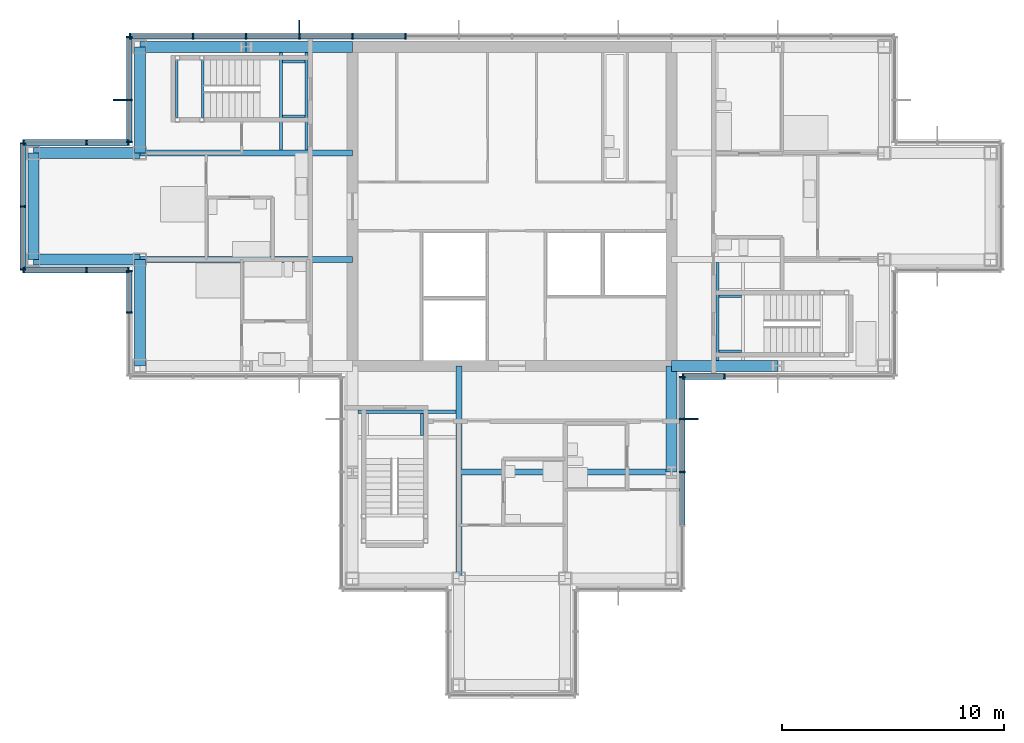
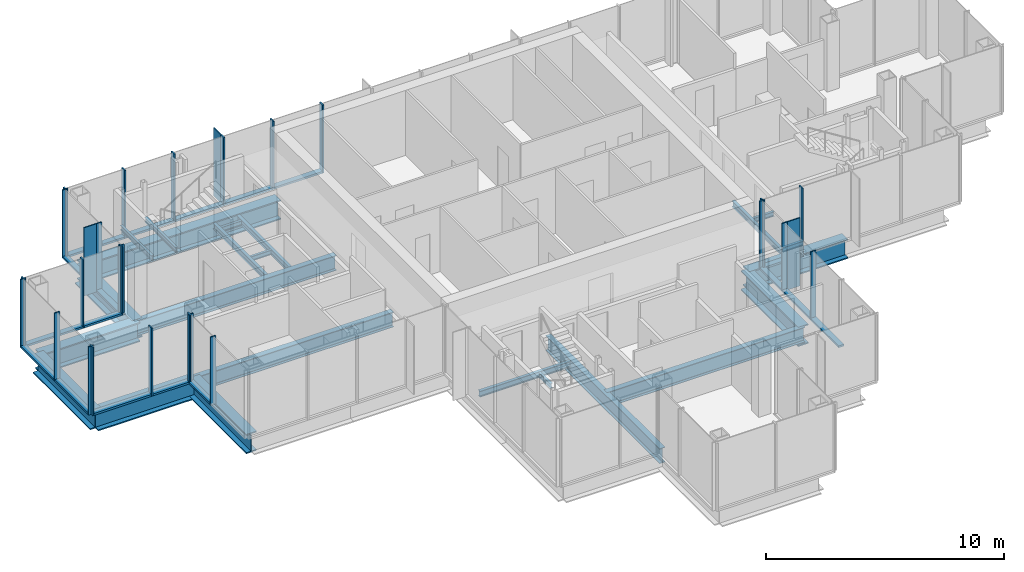
# One storey, part 6 of 15: 46 members, 24 beams, 8 elements without a shape of their own.
"""IFC4 building model written with IfcOpenShell, lengths in metres."""

from ifc_helpers import new_model, si_unit, direction, frame, origin, origin_2d, place, context, subcontext, project, spatial, rectangle, i_section, extrude, material, material_profile, profile_set, type_object, element, aggregate, save


model = new_model("IFC4")

# Units and contexts
model_context = context("Model", 3, precision=1e-05, world=origin(), true_north=direction((0.0, 1.0)))
body_context = subcontext(model_context, "Body", "Model", "MODEL_VIEW")
ifc_project = project(units=[si_unit("LENGTHUNIT", "METRE"), si_unit("AREAUNIT", "SQUARE_METRE"), si_unit("VOLUMEUNIT", "CUBIC_METRE"), si_unit("PLANEANGLEUNIT", "RADIAN"), si_unit("MASSUNIT", "GRAM", prefix="KILO")], contexts=[model_context])

# Site, building, storey
site_placement = place(None, origin())
site = spatial("IfcSite", under=ifc_project, at=site_placement, CompositionType="ELEMENT")
building_placement = place(site_placement, origin())
building = spatial("IfcBuilding", under=site, at=building_placement, Name="Kvirike Care Tower", CompositionType="ELEMENT")
storey_placement = place(building_placement, frame((0.0, 0.0, 212.0)))
storey = spatial("IfcBuildingStorey", under=building, at=storey_placement, Name="L58", CompositionType="ELEMENT", Elevation=212.0)

# Curtain wall, member
ifc_material_1 = material(Name="Anodised aluminium stick system", Category="aluminium")
curtain_wall_type = type_object("IfcCurtainWallType", Name="CW-D STICK CURTAIN WALL", PredefinedType="NOTDEFINED", material=ifc_material_1)
curtain_wall_1_placement = place(storey_placement, origin())
curtain_wall_1 = element("IfcCurtainWall", 1, at=curtain_wall_1_placement, inside=storey, type_object=curtain_wall_type, Name="Curtain wall L58 face 7", PredefinedType="NOTDEFINED")
ifc_material_2 = material(Name="Bronze anodised aluminium fin", Category="aluminium")
ifc_material_profile_1 = material_profile(ifc_material_2, rectangle(XDim=0.050048828125, YDim=0.60009765625, at=origin_2d()), Name="BRONZE FIN 600")
ifc_profile_set_1 = profile_set([ifc_material_profile_1], Name="Bronze anodised aluminium fin")
member_type_1 = type_object("IfcMemberType", Name="BRONZE FIN 600", PredefinedType="USERDEFINED", material=ifc_profile_set_1)
member_1_placement = place(storey_placement, frame((12.0, 44.110107421875, 0.0), z_axis=(0.0, 0.0, 1.0), x_axis=(-1.0, 0.0, 0.0)))
member_1 = element("IfcMember", 2, at=member_1_placement, type_object=member_type_1, Name="Bronze fin L58 face 7.12", ObjectType="FIN", PredefinedType="USERDEFINED", context=body_context, shape_type="SweptSolid", body=[
    extrude(rectangle(XDim=0.050048828125, YDim=0.60009765625, at=origin_2d()), origin(), (0.0, 0.0, 1.0), 3.5),
])

curtain_wall_2_placement = place(storey_placement, origin())
curtain_wall_2 = element("IfcCurtainWall", 3, at=curtain_wall_2_placement, inside=storey, type_object=curtain_wall_type, Name="Curtain wall L58 face 8", PredefinedType="NOTDEFINED")
member_2_placement = place(storey_placement, frame((3.889892578125, 40.800048828125, 0.0), z_axis=(0.0, 0.0, 1.0), x_axis=(0.0, -1.0, 0.0)))
member_2 = element("IfcMember", 4, at=member_2_placement, type_object=member_type_1, Name="Bronze fin L58 face 8.2", ObjectType="FIN", PredefinedType="USERDEFINED", context=body_context, shape_type="SweptSolid", body=[
    extrude(rectangle(XDim=0.050048828125, YDim=0.60009765625, at=origin_2d()), origin(), (0.0, 0.0, 1.0), 3.5),
])

curtain_wall_3_placement = place(storey_placement, origin())
curtain_wall_3 = element("IfcCurtainWall", 5, at=curtain_wall_3_placement, inside=storey, type_object=curtain_wall_type, Name="Curtain wall L58 face 20", PredefinedType="NOTDEFINED")
member_3_placement = place(storey_placement, frame((29.7099609375, 26.39990234375, 0.0), z_axis=(0.0, 0.0, 1.0), x_axis=(0.0, 1.0, 0.0)))
member_3 = element("IfcMember", 6, at=member_3_placement, type_object=member_type_1, Name="Bronze fin L58 face 20.4", ObjectType="FIN", PredefinedType="USERDEFINED", context=body_context, shape_type="SweptSolid", body=[
    extrude(rectangle(XDim=0.050048828125, YDim=0.60009765625, at=origin_2d()), origin(), (0.0, 0.0, 1.0), 3.5),
])

# Curtain wall, members
curtain_wall_4_placement = place(storey_placement, origin())
curtain_wall_4 = element("IfcCurtainWall", 7, at=curtain_wall_4_placement, inside=storey, type_object=curtain_wall_type, Name="Curtain wall L58 face 1", PredefinedType="NOTDEFINED")
ifc_material_3 = material(Name="Bronze anodised aluminium mullion", Category="aluminium")
ifc_material_profile_2 = material_profile(ifc_material_3, rectangle(XDim=0.06494140625, YDim=0.260009765625, at=origin_2d()), Name="CW-D MULLION 65x260")
ifc_profile_set_2 = profile_set([ifc_material_profile_2], Name="Bronze anodised aluminium mullion")
member_type_2 = type_object("IfcMemberType", Name="CW-D MULLION 65x260", PredefinedType="MULLION", material=ifc_profile_set_2)
member_4_placement = place(storey_placement, frame((29.3125, 28.320068359375, 0.0), z_axis=(0.0, 0.0, 1.0), x_axis=(1.0, 0.0, 0.0)))
member_4 = element("IfcMember", 8, at=member_4_placement, type_object=member_type_2, Name="CW-D mullion L58 face 1.1", PredefinedType="MULLION", context=body_context, shape_type="SweptSolid", body=[
    extrude(rectangle(XDim=0.06494140625, YDim=0.260009765625, at=origin_2d()), origin(), (0.0, 0.0, 1.0), 3.5),
])
member_5_placement = place(storey_placement, frame((31.199951171875, 28.320068359375, 0.0), z_axis=(0.0, 0.0, 1.0), x_axis=(1.0, 0.0, 0.0)))
member_5 = element("IfcMember", 9, at=member_5_placement, type_object=member_type_2, Name="CW-D mullion L58 face 1.2", PredefinedType="MULLION", context=body_context, shape_type="SweptSolid", body=[
    extrude(rectangle(XDim=0.06494140625, YDim=0.260009765625, at=origin_2d()), origin(), (0.0, 0.0, 1.0), 3.5),
])

# Member
member_6_placement = place(storey_placement, frame((16.800048828125, 43.679931640625, 0.0), z_axis=(0.0, 0.0, 1.0), x_axis=(-1.0, 0.0, 0.0)))
member_6 = element("IfcMember", 10, at=member_6_placement, type_object=member_type_2, Name="CW-D mullion L58 face 7.10", PredefinedType="MULLION", context=body_context, shape_type="SweptSolid", body=[
    extrude(rectangle(XDim=0.06494140625, YDim=0.260009765625, at=origin_2d()), origin(), (0.0, 0.0, 1.0), 3.5),
])

member_7_placement = place(storey_placement, frame((14.39990234375, 43.679931640625, 0.0), z_axis=(0.0, 0.0, 1.0), x_axis=(-1.0, 0.0, 0.0)))
member_7 = element("IfcMember", 11, at=member_7_placement, type_object=member_type_2, Name="CW-D mullion L58 face 7.11", PredefinedType="MULLION", context=body_context, shape_type="SweptSolid", body=[
    extrude(rectangle(XDim=0.06494140625, YDim=0.260009765625, at=origin_2d()), origin(), (0.0, 0.0, 1.0), 3.5),
])

member_8_placement = place(storey_placement, frame((12.0, 43.679931640625, 0.0), z_axis=(0.0, 0.0, 1.0), x_axis=(-1.0, 0.0, 0.0)))
member_8 = element("IfcMember", 12, at=member_8_placement, type_object=member_type_2, Name="CW-D mullion L58 face 7.12", PredefinedType="MULLION", context=body_context, shape_type="SweptSolid", body=[
    extrude(rectangle(XDim=0.06494140625, YDim=0.260009765625, at=origin_2d()), origin(), (0.0, 0.0, 1.0), 3.5),
])

member_9_placement = place(storey_placement, frame((9.60009765625, 43.679931640625, 0.0), z_axis=(0.0, 0.0, 1.0), x_axis=(-1.0, 0.0, 0.0)))
member_9 = element("IfcMember", 13, at=member_9_placement, type_object=member_type_2, Name="CW-D mullion L58 face 7.13", PredefinedType="MULLION", context=body_context, shape_type="SweptSolid", body=[
    extrude(rectangle(XDim=0.06494140625, YDim=0.260009765625, at=origin_2d()), origin(), (0.0, 0.0, 1.0), 3.5),
])

member_10_placement = place(storey_placement, frame((7.199951171875, 43.679931640625, 0.0), z_axis=(0.0, 0.0, 1.0), x_axis=(-1.0, 0.0, 0.0)))
member_10 = element("IfcMember", 14, at=member_10_placement, type_object=member_type_2, Name="CW-D mullion L58 face 7.14", PredefinedType="MULLION", context=body_context, shape_type="SweptSolid", body=[
    extrude(rectangle(XDim=0.06494140625, YDim=0.260009765625, at=origin_2d()), origin(), (0.0, 0.0, 1.0), 3.5),
])

member_11_placement = place(storey_placement, frame((4.3525390625, 43.679931640625, 0.0), z_axis=(0.0, 0.0, 1.0), x_axis=(-1.0, 0.0, 0.0)))
member_11 = element("IfcMember", 15, at=member_11_placement, type_object=member_type_2, Name="CW-D mullion L58 face 7.15", PredefinedType="MULLION", context=body_context, shape_type="SweptSolid", body=[
    extrude(rectangle(XDim=0.06494140625, YDim=0.260009765625, at=origin_2d()), origin(), (0.0, 0.0, 1.0), 3.5),
])

member_12_placement = place(storey_placement, frame((4.320068359375, 43.6474609375, 0.0), z_axis=(0.0, 0.0, 1.0), x_axis=(0.0, -1.0, 0.0)))
member_12 = element("IfcMember", 16, at=member_12_placement, type_object=member_type_2, Name="CW-D mullion L58 face 8.1", PredefinedType="MULLION", context=body_context, shape_type="SweptSolid", body=[
    extrude(rectangle(XDim=0.06494140625, YDim=0.260009765625, at=origin_2d()), origin(), (0.0, 0.0, 1.0), 3.5),
])

member_13_placement = place(storey_placement, frame((4.320068359375, 40.800048828125, 0.0), z_axis=(0.0, 0.0, 1.0), x_axis=(0.0, -1.0, 0.0)))
member_13 = element("IfcMember", 17, at=member_13_placement, type_object=member_type_2, Name="CW-D mullion L58 face 8.2", PredefinedType="MULLION", context=body_context, shape_type="SweptSolid", body=[
    extrude(rectangle(XDim=0.06494140625, YDim=0.260009765625, at=origin_2d()), origin(), (0.0, 0.0, 1.0), 3.5),
])

member_14_placement = place(storey_placement, frame((4.320068359375, 38.91259765625, 0.0), z_axis=(0.0, 0.0, 1.0), x_axis=(0.0, -1.0, 0.0)))
member_14 = element("IfcMember", 18, at=member_14_placement, type_object=member_type_2, Name="CW-D mullion L58 face 8.3", PredefinedType="MULLION", context=body_context, shape_type="SweptSolid", body=[
    extrude(rectangle(XDim=0.06494140625, YDim=0.260009765625, at=origin_2d()), origin(), (0.0, 0.0, 1.0), 3.5),
])

# Curtain wall, members
curtain_wall_5_placement = place(storey_placement, origin())
curtain_wall_5 = element("IfcCurtainWall", 19, at=curtain_wall_5_placement, inside=storey, type_object=curtain_wall_type, Name="Curtain wall L58 face 9", PredefinedType="NOTDEFINED")
member_15_placement = place(storey_placement, frame((4.28759765625, 38.8798828125, 0.0), z_axis=(0.0, 0.0, 1.0), x_axis=(-1.0, 0.0, 0.0)))
member_15 = element("IfcMember", 20, at=member_15_placement, type_object=member_type_2, Name="CW-D mullion L58 face 9.1", PredefinedType="MULLION", context=body_context, shape_type="SweptSolid", body=[
    extrude(rectangle(XDim=0.06494140625, YDim=0.260009765625, at=origin_2d()), origin(), (0.0, 0.0, 1.0), 3.5),
])
member_16_placement = place(storey_placement, frame((2.39990234375, 38.8798828125, 0.0), z_axis=(0.0, 0.0, 1.0), x_axis=(-1.0, 0.0, 0.0)))
member_16 = element("IfcMember", 21, at=member_16_placement, type_object=member_type_2, Name="CW-D mullion L58 face 9.2", PredefinedType="MULLION", context=body_context, shape_type="SweptSolid", body=[
    extrude(rectangle(XDim=0.06494140625, YDim=0.260009765625, at=origin_2d()), origin(), (0.0, 0.0, 1.0), 3.5),
])
member_17_placement = place(storey_placement, frame((-0.447509765625, 38.8798828125, 0.0), z_axis=(0.0, 0.0, 1.0), x_axis=(-1.0, 0.0, 0.0)))
member_17 = element("IfcMember", 22, at=member_17_placement, type_object=member_type_2, Name="CW-D mullion L58 face 9.3", PredefinedType="MULLION", context=body_context, shape_type="SweptSolid", body=[
    extrude(rectangle(XDim=0.06494140625, YDim=0.260009765625, at=origin_2d()), origin(), (0.0, 0.0, 1.0), 3.5),
])

curtain_wall_6_placement = place(storey_placement, origin())
curtain_wall_6 = element("IfcCurtainWall", 23, at=curtain_wall_6_placement, inside=storey, type_object=curtain_wall_type, Name="Curtain wall L58 face 10", PredefinedType="NOTDEFINED")
member_18_placement = place(storey_placement, frame((-0.47998046875, 38.847412109375, 0.0), z_axis=(0.0, 0.0, 1.0), x_axis=(0.0, -1.0, 0.0)))
member_18 = element("IfcMember", 24, at=member_18_placement, type_object=member_type_2, Name="CW-D mullion L58 face 10.1", PredefinedType="MULLION", context=body_context, shape_type="SweptSolid", body=[
    extrude(rectangle(XDim=0.06494140625, YDim=0.260009765625, at=origin_2d()), origin(), (0.0, 0.0, 1.0), 3.5),
])
member_19_placement = place(storey_placement, frame((-0.47998046875, 36.0, 0.0), z_axis=(0.0, 0.0, 1.0), x_axis=(0.0, -1.0, 0.0)))
member_19 = element("IfcMember", 25, at=member_19_placement, type_object=member_type_2, Name="CW-D mullion L58 face 10.2", PredefinedType="MULLION", context=body_context, shape_type="SweptSolid", body=[
    extrude(rectangle(XDim=0.06494140625, YDim=0.260009765625, at=origin_2d()), origin(), (0.0, 0.0, 1.0), 3.5),
])
member_20_placement = place(storey_placement, frame((-0.47998046875, 33.152587890625, 0.0), z_axis=(0.0, 0.0, 1.0), x_axis=(0.0, -1.0, 0.0)))
member_20 = element("IfcMember", 26, at=member_20_placement, type_object=member_type_2, Name="CW-D mullion L58 face 10.3", PredefinedType="MULLION", context=body_context, shape_type="SweptSolid", body=[
    extrude(rectangle(XDim=0.06494140625, YDim=0.260009765625, at=origin_2d()), origin(), (0.0, 0.0, 1.0), 3.5),
])

curtain_wall_7_placement = place(storey_placement, origin())
curtain_wall_7 = element("IfcCurtainWall", 27, at=curtain_wall_7_placement, inside=storey, type_object=curtain_wall_type, Name="Curtain wall L58 face 11", PredefinedType="NOTDEFINED")
member_21_placement = place(storey_placement, frame((-0.447509765625, 33.1201171875, 0.0), z_axis=(0.0, 0.0, 1.0), x_axis=(1.0, 0.0, 0.0)))
member_21 = element("IfcMember", 28, at=member_21_placement, type_object=member_type_2, Name="CW-D mullion L58 face 11.1", PredefinedType="MULLION", context=body_context, shape_type="SweptSolid", body=[
    extrude(rectangle(XDim=0.06494140625, YDim=0.260009765625, at=origin_2d()), origin(), (0.0, 0.0, 1.0), 3.5),
])
member_22_placement = place(storey_placement, frame((2.39990234375, 33.1201171875, 0.0), z_axis=(0.0, 0.0, 1.0), x_axis=(1.0, 0.0, 0.0)))
member_22 = element("IfcMember", 29, at=member_22_placement, type_object=member_type_2, Name="CW-D mullion L58 face 11.2", PredefinedType="MULLION", context=body_context, shape_type="SweptSolid", body=[
    extrude(rectangle(XDim=0.06494140625, YDim=0.260009765625, at=origin_2d()), origin(), (0.0, 0.0, 1.0), 3.5),
])
member_23_placement = place(storey_placement, frame((4.28759765625, 33.1201171875, 0.0), z_axis=(0.0, 0.0, 1.0), x_axis=(1.0, 0.0, 0.0)))
member_23 = element("IfcMember", 30, at=member_23_placement, type_object=member_type_2, Name="CW-D mullion L58 face 11.3", PredefinedType="MULLION", context=body_context, shape_type="SweptSolid", body=[
    extrude(rectangle(XDim=0.06494140625, YDim=0.260009765625, at=origin_2d()), origin(), (0.0, 0.0, 1.0), 3.5),
])

curtain_wall_8_placement = place(storey_placement, origin())
curtain_wall_8 = element("IfcCurtainWall", 31, at=curtain_wall_8_placement, inside=storey, type_object=curtain_wall_type, Name="Curtain wall L58 face 12", PredefinedType="NOTDEFINED")
member_24_placement = place(storey_placement, frame((4.320068359375, 33.08740234375, 0.0), z_axis=(0.0, 0.0, 1.0), x_axis=(0.0, -1.0, 0.0)))
member_24 = element("IfcMember", 32, at=member_24_placement, type_object=member_type_2, Name="CW-D mullion L58 face 12.1", PredefinedType="MULLION", context=body_context, shape_type="SweptSolid", body=[
    extrude(rectangle(XDim=0.06494140625, YDim=0.260009765625, at=origin_2d()), origin(), (0.0, 0.0, 1.0), 3.5),
])
member_25_placement = place(storey_placement, frame((4.320068359375, 31.199951171875, 0.0), z_axis=(0.0, 0.0, 1.0), x_axis=(0.0, -1.0, 0.0)))
member_25 = element("IfcMember", 33, at=member_25_placement, type_object=member_type_2, Name="CW-D mullion L58 face 12.2", PredefinedType="MULLION", context=body_context, shape_type="SweptSolid", body=[
    extrude(rectangle(XDim=0.06494140625, YDim=0.260009765625, at=origin_2d()), origin(), (0.0, 0.0, 1.0), 3.5),
])

# Member
member_26_placement = place(storey_placement, frame((29.280029296875, 24.0, 0.0), z_axis=(0.0, 0.0, 1.0), x_axis=(0.0, 1.0, 0.0)))
member_26 = element("IfcMember", 34, at=member_26_placement, type_object=member_type_2, Name="CW-D mullion L58 face 20.3", PredefinedType="MULLION", context=body_context, shape_type="SweptSolid", body=[
    extrude(rectangle(XDim=0.06494140625, YDim=0.260009765625, at=origin_2d()), origin(), (0.0, 0.0, 1.0), 3.5),
])

member_27_placement = place(storey_placement, frame((29.280029296875, 26.39990234375, 0.0), z_axis=(0.0, 0.0, 1.0), x_axis=(0.0, 1.0, 0.0)))
member_27 = element("IfcMember", 35, at=member_27_placement, type_object=member_type_2, Name="CW-D mullion L58 face 20.4", PredefinedType="MULLION", context=body_context, shape_type="SweptSolid", body=[
    extrude(rectangle(XDim=0.06494140625, YDim=0.260009765625, at=origin_2d()), origin(), (0.0, 0.0, 1.0), 3.5),
])

member_28_placement = place(storey_placement, frame((29.280029296875, 28.28759765625, 0.0), z_axis=(0.0, 0.0, 1.0), x_axis=(0.0, 1.0, 0.0)))
member_28 = element("IfcMember", 36, at=member_28_placement, type_object=member_type_2, Name="CW-D mullion L58 face 20.5", PredefinedType="MULLION", context=body_context, shape_type="SweptSolid", body=[
    extrude(rectangle(XDim=0.06494140625, YDim=0.260009765625, at=origin_2d()), origin(), (0.0, 0.0, 1.0), 3.5),
])

ifc_material_4 = material(Name="Bronze anodised aluminium transom", Category="aluminium")
ifc_material_profile_3 = material_profile(ifc_material_4, rectangle(XDim=0.260009765625, YDim=0.10009765625, at=origin_2d()), Name="CW-D TRANSOM 260x100")
ifc_profile_set_3 = profile_set([ifc_material_profile_3], Name="Bronze anodised aluminium transom")
member_type_3 = type_object("IfcMemberType", Name="CW-D TRANSOM 260x100", PredefinedType="USERDEFINED", material=ifc_profile_set_3)
member_29_placement = place(storey_placement, frame((29.344970703125, 28.320068359375, 0.050048828125), z_axis=(1.0, 0.0, 0.0), x_axis=(0.0, 1.0, 0.0)))
member_29 = element("IfcMember", 37, at=member_29_placement, type_object=member_type_3, Name="CW-D sill transom L58 face 1.1", ObjectType="TRANSOM", PredefinedType="USERDEFINED", context=body_context, shape_type="SweptSolid", body=[
    extrude(rectangle(XDim=0.260009765625, YDim=0.10009765625, at=origin_2d()), origin(), (0.0, 0.0, 1.0), 1.822509765625),
])

aggregate(curtain_wall_4, [member_4, member_5, member_29])

member_30_placement = place(storey_placement, frame((16.767578125, 43.679931640625, 0.050048828125), z_axis=(-1.0, 0.0, 0.0), x_axis=(0.0, -1.0, 0.0)))
member_30 = element("IfcMember", 38, at=member_30_placement, type_object=member_type_3, Name="CW-D sill transom L58 face 7.10", ObjectType="TRANSOM", PredefinedType="USERDEFINED", context=body_context, shape_type="SweptSolid", body=[
    extrude(rectangle(XDim=0.260009765625, YDim=0.10009765625, at=origin_2d()), origin(), (0.0, 0.0, 1.0), 2.3349609375),
])

member_31_placement = place(storey_placement, frame((14.367431640625, 43.679931640625, 0.050048828125), z_axis=(-1.0, 0.0, 0.0), x_axis=(0.0, -1.0, 0.0)))
member_31 = element("IfcMember", 39, at=member_31_placement, type_object=member_type_3, Name="CW-D sill transom L58 face 7.11", ObjectType="TRANSOM", PredefinedType="USERDEFINED", context=body_context, shape_type="SweptSolid", body=[
    extrude(rectangle(XDim=0.260009765625, YDim=0.10009765625, at=origin_2d()), origin(), (0.0, 0.0, 1.0), 2.3349609375),
])

member_32_placement = place(storey_placement, frame((11.967529296875, 43.679931640625, 0.050048828125), z_axis=(-1.0, 0.0, 0.0), x_axis=(0.0, -1.0, 0.0)))
member_32 = element("IfcMember", 40, at=member_32_placement, type_object=member_type_3, Name="CW-D sill transom L58 face 7.12", ObjectType="TRANSOM", PredefinedType="USERDEFINED", context=body_context, shape_type="SweptSolid", body=[
    extrude(rectangle(XDim=0.260009765625, YDim=0.10009765625, at=origin_2d()), origin(), (0.0, 0.0, 1.0), 2.3349609375),
])

member_33_placement = place(storey_placement, frame((9.5673828125, 43.679931640625, 0.050048828125), z_axis=(-1.0, 0.0, 0.0), x_axis=(0.0, -1.0, 0.0)))
member_33 = element("IfcMember", 41, at=member_33_placement, type_object=member_type_3, Name="CW-D sill transom L58 face 7.13", ObjectType="TRANSOM", PredefinedType="USERDEFINED", context=body_context, shape_type="SweptSolid", body=[
    extrude(rectangle(XDim=0.260009765625, YDim=0.10009765625, at=origin_2d()), origin(), (0.0, 0.0, 1.0), 2.3349609375),
])

member_34_placement = place(storey_placement, frame((7.16748046875, 43.679931640625, 0.050048828125), z_axis=(-1.0, 0.0, 0.0), x_axis=(0.0, -1.0, 0.0)))
member_34 = element("IfcMember", 42, at=member_34_placement, type_object=member_type_3, Name="CW-D sill transom L58 face 7.14", ObjectType="TRANSOM", PredefinedType="USERDEFINED", context=body_context, shape_type="SweptSolid", body=[
    extrude(rectangle(XDim=0.260009765625, YDim=0.10009765625, at=origin_2d()), origin(), (0.0, 0.0, 1.0), 2.782470703125),
])

aggregate(curtain_wall_1, [member_6, member_7, member_8, member_1, member_9, member_10, member_11, member_30, member_31, member_32, member_33, member_34])

member_35_placement = place(storey_placement, frame((4.320068359375, 43.614990234375, 0.050048828125), z_axis=(0.0, -1.0, 0.0), x_axis=(1.0, 0.0, 0.0)))
member_35 = element("IfcMember", 43, at=member_35_placement, type_object=member_type_3, Name="CW-D sill transom L58 face 8.1", ObjectType="TRANSOM", PredefinedType="USERDEFINED", context=body_context, shape_type="SweptSolid", body=[
    extrude(rectangle(XDim=0.260009765625, YDim=0.10009765625, at=origin_2d()), origin(), (0.0, 0.0, 1.0), 2.782470703125),
])

member_36_placement = place(storey_placement, frame((4.320068359375, 40.767578125, 0.050048828125), z_axis=(0.0, -1.0, 0.0), x_axis=(1.0, 0.0, 0.0)))
member_36 = element("IfcMember", 44, at=member_36_placement, type_object=member_type_3, Name="CW-D sill transom L58 face 8.2", ObjectType="TRANSOM", PredefinedType="USERDEFINED", context=body_context, shape_type="SweptSolid", body=[
    extrude(rectangle(XDim=0.260009765625, YDim=0.10009765625, at=origin_2d()), origin(), (0.0, 0.0, 1.0), 1.822509765625),
])

aggregate(curtain_wall_2, [member_12, member_13, member_2, member_14, member_35, member_36])

member_37_placement = place(storey_placement, frame((4.2548828125, 38.8798828125, 0.050048828125), z_axis=(-1.0, 0.0, 0.0), x_axis=(0.0, -1.0, 0.0)))
member_37 = element("IfcMember", 45, at=member_37_placement, type_object=member_type_3, Name="CW-D sill transom L58 face 9.1", ObjectType="TRANSOM", PredefinedType="USERDEFINED", context=body_context, shape_type="SweptSolid", body=[
    extrude(rectangle(XDim=0.260009765625, YDim=0.10009765625, at=origin_2d()), origin(), (0.0, 0.0, 1.0), 1.822265625),
])

member_38_placement = place(storey_placement, frame((2.367431640625, 38.8798828125, 0.050048828125), z_axis=(-1.0, 0.0, 0.0), x_axis=(0.0, -1.0, 0.0)))
member_38 = element("IfcMember", 46, at=member_38_placement, type_object=member_type_3, Name="CW-D sill transom L58 face 9.2", ObjectType="TRANSOM", PredefinedType="USERDEFINED", context=body_context, shape_type="SweptSolid", body=[
    extrude(rectangle(XDim=0.260009765625, YDim=0.10009765625, at=origin_2d()), origin(), (0.0, 0.0, 1.0), 2.782470703125),
])

aggregate(curtain_wall_5, [member_15, member_16, member_17, member_37, member_38])

member_39_placement = place(storey_placement, frame((-0.47998046875, 38.81494140625, 0.050048828125), z_axis=(0.0, -1.0, 0.0), x_axis=(1.0, 0.0, 0.0)))
member_39 = element("IfcMember", 47, at=member_39_placement, type_object=member_type_3, Name="CW-D sill transom L58 face 10.1", ObjectType="TRANSOM", PredefinedType="USERDEFINED", context=body_context, shape_type="SweptSolid", body=[
    extrude(rectangle(XDim=0.260009765625, YDim=0.10009765625, at=origin_2d()), origin(), (0.0, 0.0, 1.0), 2.782470703125),
])

member_40_placement = place(storey_placement, frame((-0.47998046875, 35.967529296875, 0.050048828125), z_axis=(0.0, -1.0, 0.0), x_axis=(1.0, 0.0, 0.0)))
member_40 = element("IfcMember", 48, at=member_40_placement, type_object=member_type_3, Name="CW-D sill transom L58 face 10.2", ObjectType="TRANSOM", PredefinedType="USERDEFINED", context=body_context, shape_type="SweptSolid", body=[
    extrude(rectangle(XDim=0.260009765625, YDim=0.10009765625, at=origin_2d()), origin(), (0.0, 0.0, 1.0), 2.782470703125),
])

aggregate(curtain_wall_6, [member_18, member_19, member_20, member_39, member_40])

member_41_placement = place(storey_placement, frame((-0.4150390625, 33.1201171875, 0.050048828125), z_axis=(1.0, 0.0, 0.0), x_axis=(0.0, 1.0, 0.0)))
member_41 = element("IfcMember", 49, at=member_41_placement, type_object=member_type_3, Name="CW-D sill transom L58 face 11.1", ObjectType="TRANSOM", PredefinedType="USERDEFINED", context=body_context, shape_type="SweptSolid", body=[
    extrude(rectangle(XDim=0.260009765625, YDim=0.10009765625, at=origin_2d()), origin(), (0.0, 0.0, 1.0), 2.782470703125),
])

member_42_placement = place(storey_placement, frame((2.4326171875, 33.1201171875, 0.050048828125), z_axis=(1.0, 0.0, 0.0), x_axis=(0.0, 1.0, 0.0)))
member_42 = element("IfcMember", 50, at=member_42_placement, type_object=member_type_3, Name="CW-D sill transom L58 face 11.2", ObjectType="TRANSOM", PredefinedType="USERDEFINED", context=body_context, shape_type="SweptSolid", body=[
    extrude(rectangle(XDim=0.260009765625, YDim=0.10009765625, at=origin_2d()), origin(), (0.0, 0.0, 1.0), 1.822265625),
])

aggregate(curtain_wall_7, [member_21, member_22, member_23, member_41, member_42])

member_43_placement = place(storey_placement, frame((4.320068359375, 33.054931640625, 0.050048828125), z_axis=(0.0, -1.0, 0.0), x_axis=(1.0, 0.0, 0.0)))
member_43 = element("IfcMember", 51, at=member_43_placement, type_object=member_type_3, Name="CW-D sill transom L58 face 12.1", ObjectType="TRANSOM", PredefinedType="USERDEFINED", context=body_context, shape_type="SweptSolid", body=[
    extrude(rectangle(XDim=0.260009765625, YDim=0.10009765625, at=origin_2d()), origin(), (0.0, 0.0, 1.0), 1.822509765625),
])

aggregate(curtain_wall_8, [member_24, member_25, member_43])

member_44_placement = place(storey_placement, frame((29.280029296875, 21.632568359375, 0.050048828125), z_axis=(0.0, 1.0, 0.0), x_axis=(-1.0, 0.0, 0.0)))
member_44 = element("IfcMember", 52, at=member_44_placement, type_object=member_type_3, Name="CW-D sill transom L58 face 20.2", ObjectType="TRANSOM", PredefinedType="USERDEFINED", context=body_context, shape_type="SweptSolid", body=[
    extrude(rectangle(XDim=0.260009765625, YDim=0.10009765625, at=origin_2d()), origin(), (0.0, 0.0, 1.0), 2.3349609375),
])

member_45_placement = place(storey_placement, frame((29.280029296875, 24.032470703125, 0.050048828125), z_axis=(0.0, 1.0, 0.0), x_axis=(-1.0, 0.0, 0.0)))
member_45 = element("IfcMember", 53, at=member_45_placement, type_object=member_type_3, Name="CW-D sill transom L58 face 20.3", ObjectType="TRANSOM", PredefinedType="USERDEFINED", context=body_context, shape_type="SweptSolid", body=[
    extrude(rectangle(XDim=0.260009765625, YDim=0.10009765625, at=origin_2d()), origin(), (0.0, 0.0, 1.0), 2.3349609375),
])

member_46_placement = place(storey_placement, frame((29.280029296875, 26.4326171875, 0.050048828125), z_axis=(0.0, 1.0, 0.0), x_axis=(-1.0, 0.0, 0.0)))
member_46 = element("IfcMember", 54, at=member_46_placement, type_object=member_type_3, Name="CW-D sill transom L58 face 20.4", ObjectType="TRANSOM", PredefinedType="USERDEFINED", context=body_context, shape_type="SweptSolid", body=[
    extrude(rectangle(XDim=0.260009765625, YDim=0.10009765625, at=origin_2d()), origin(), (0.0, 0.0, 1.0), 1.822265625),
])

aggregate(curtain_wall_3, [member_26, member_27, member_3, member_28, member_44, member_45, member_46])

# Beams
ifc_material_5 = material(Name="Steel S355", Category="steel")
ifc_material_profile_4 = material_profile(ifc_material_5, i_section(OverallWidth=0.26806640625, OverallDepth=0.77001953125, WebThickness=0.015625, FlangeThickness=0.025390625, FilletRadius=0.01708984375, at=origin_2d()), Name="IPE 750x196")
ifc_profile_set_4 = profile_set([ifc_material_profile_4], Name="Steel S355")
beam_type_1 = type_object("IfcBeamType", Name="FLOOR BEAM IPE 750x196", PredefinedType="BEAM", material=ifc_profile_set_4)
beam_1_placement = place(storey_placement, frame((19.199951171875, 24.0, -0.554931640625), z_axis=(1.0, 0.0, 0.0), x_axis=(0.0, 1.0, 0.0)))
element("IfcBeam", 55, at=beam_1_placement, inside=storey, type_object=beam_type_1, Name="Floor Beam F7-F9 L58", PredefinedType="BEAM", context=body_context, shape_type="SweptSolid", body=[
    extrude(i_section(OverallWidth=0.26806640625, OverallDepth=0.77001953125, WebThickness=0.015625, FlangeThickness=0.025390625, FilletRadius=0.01708984375, at=origin_2d()), origin(), (0.0, 0.0, 1.0), 9.60009765625),
])
for number, where, z_axis, x_axis, name in (
    (56, (4.800048828125, 33.60009765625, -0.554931640625), (1.0, 0.0, 0.0), (0.0, 1.0, 0.0), "Floor Beam H4-H6 L58"),
    (57, (4.800048828125, 38.39990234375, -0.554931640625), (1.0, 0.0, 0.0), (0.0, 1.0, 0.0), "Floor Beam J4-J6 L58"),
):
    element("IfcBeam", number, at=place(storey_placement, frame(where, z_axis=z_axis, x_axis=x_axis)), inside=storey, type_object=beam_type_1, Name=name, PredefinedType="BEAM", context=body_context, shape_type="SweptSolid", body=[
        extrude(i_section(OverallWidth=0.26806640625, OverallDepth=0.77001953125, WebThickness=0.015625, FlangeThickness=0.025390625, FilletRadius=0.01708984375, at=origin_2d()), origin(), (0.0, 0.0, 1.0), 9.599853515625),
    ])
beam_2_placement = place(storey_placement, frame((19.199951171875, 19.199951171875, -0.554931640625), z_axis=(0.0, 1.0, 0.0), x_axis=(-1.0, 0.0, 0.0)))
element("IfcBeam", 58, at=beam_2_placement, inside=storey, type_object=beam_type_1, Name="Floor Beam E7-G7 L58", PredefinedType="BEAM", context=body_context, shape_type="SweptSolid", body=[
    extrude(i_section(OverallWidth=0.26806640625, OverallDepth=0.77001953125, WebThickness=0.015625, FlangeThickness=0.025390625, FilletRadius=0.01708984375, at=origin_2d()), origin(), (0.0, 0.0, 1.0), 9.60009765625),
])
ifc_material_6 = material(Name="Steel S355", Category="steel")
ifc_material_profile_5 = material_profile(ifc_material_6, i_section(OverallWidth=0.5, OverallDepth=1.0, WebThickness=0.030029296875, FlangeThickness=0.06005859375, at=origin_2d()), Name="PG 1000x500x30x60")
ifc_profile_set_5 = profile_set([ifc_material_profile_5], Name="Steel S355")
beam_type_2 = type_object("IfcBeamType", Name="SPANDREL PG 1000x500x30x60", PredefinedType="SPANDREL", material=ifc_profile_set_5)
for number, where, z_axis, x_axis, name in (
    (59, (28.800048828125, 28.800048828125, -0.669921875), (1.0, 0.0, 0.0), (0.0, 1.0, 0.0), "Spandrel G9-G10 L58"),
    (60, (0.0, 33.60009765625, -0.669921875), (1.0, 0.0, 0.0), (0.0, 1.0, 0.0), "Spandrel H3-H4 L58"),
    (61, (0.0, 38.39990234375, -0.669921875), (1.0, 0.0, 0.0), (0.0, 1.0, 0.0), "Spandrel J3-J4 L58"),
    (62, (4.800048828125, 43.199951171875, -0.669921875), (1.0, 0.0, 0.0), (0.0, 1.0, 0.0), "Spandrel K4-K5 L58"),
):
    element("IfcBeam", number, at=place(storey_placement, frame(where, z_axis=z_axis, x_axis=x_axis)), inside=storey, type_object=beam_type_2, Name=name, PredefinedType="SPANDREL", context=body_context, shape_type="SweptSolid", body=[
        extrude(i_section(OverallWidth=0.5, OverallDepth=1.0, WebThickness=0.030029296875, FlangeThickness=0.06005859375, at=origin_2d()), origin(), (0.0, 0.0, 1.0), 4.800048828125),
    ])
for number, where, z_axis, x_axis, name in (
    (63, (9.60009765625, 43.199951171875, -0.669921875), (1.0, 0.0, 0.0), (0.0, 1.0, 0.0), "Spandrel K5-K6 L58"),
    (64, (0.0, 33.60009765625, -0.669921875), (0.0, 1.0, 0.0), (-1.0, 0.0, 0.0), "Spandrel H3-J3 L58"),
):
    element("IfcBeam", number, at=place(storey_placement, frame(where, z_axis=z_axis, x_axis=x_axis)), inside=storey, type_object=beam_type_2, Name=name, PredefinedType="SPANDREL", context=body_context, shape_type="SweptSolid", body=[
        extrude(i_section(OverallWidth=0.5, OverallDepth=1.0, WebThickness=0.030029296875, FlangeThickness=0.06005859375, at=origin_2d()), origin(), (0.0, 0.0, 1.0), 4.7998046875),
    ])
for number, where, z_axis, x_axis, name in (
    (65, (4.800048828125, 28.800048828125, -0.669921875), (0.0, 1.0, 0.0), (-1.0, 0.0, 0.0), "Spandrel G4-H4 L58"),
    (66, (4.800048828125, 38.39990234375, -0.669921875), (0.0, 1.0, 0.0), (-1.0, 0.0, 0.0), "Spandrel J4-K4 L58"),
    (67, (28.800048828125, 24.0, -0.669921875), (0.0, 1.0, 0.0), (-1.0, 0.0, 0.0), "Spandrel F9-G9 L58"),
):
    element("IfcBeam", number, at=place(storey_placement, frame(where, z_axis=z_axis, x_axis=x_axis)), inside=storey, type_object=beam_type_2, Name=name, PredefinedType="SPANDREL", context=body_context, shape_type="SweptSolid", body=[
        extrude(i_section(OverallWidth=0.5, OverallDepth=1.0, WebThickness=0.030029296875, FlangeThickness=0.06005859375, at=origin_2d()), origin(), (0.0, 0.0, 1.0), 4.800048828125),
    ])
ifc_material_7 = material(Name="Steel S355", Category="steel")
ifc_material_profile_6 = material_profile(ifc_material_7, i_section(OverallWidth=0.1201171875, OverallDepth=0.239990234375, WebThickness=0.006103515625, FlangeThickness=0.009765625, FilletRadius=0.014892578125, at=origin_2d()), Name="IPE 240")
ifc_profile_set_6 = profile_set([ifc_material_profile_6], Name="Steel S355")
beam_type_3 = type_object("IfcBeamType", Name="STAIR LANDING BEAM IPE 240", PredefinedType="BEAM", material=ifc_profile_set_6)
for number, where, z_axis, x_axis, name in (
    (68, (6.4599609375, 42.60009765625, 1.429931640625), (0.0, -1.0, 0.0), (1.0, 0.0, 0.0), "Stair 1 landing beam back L58"),
    (69, (7.639892578125, 42.60009765625, 1.429931640625), (0.0, -1.0, 0.0), (1.0, 0.0, 0.0), "Stair 1 landing beam front L58"),
):
    element("IfcBeam", number, at=place(storey_placement, frame(where, z_axis=z_axis, x_axis=x_axis)), inside=storey, type_object=beam_type_3, Name=name, PredefinedType="BEAM", context=body_context, shape_type="SweptSolid", body=[
        extrude(i_section(OverallWidth=0.1201171875, OverallDepth=0.239990234375, WebThickness=0.006103515625, FlangeThickness=0.009765625, FilletRadius=0.014892578125, at=origin_2d()), origin(), (0.0, 0.0, 1.0), 2.60009765625),
    ])
for number, where, z_axis, x_axis, name in (
    (70, (11.25, 42.5400390625, -0.320068359375), (1.0, 0.0, 0.0), (0.0, 1.0, 0.0), "Stair 1 landing edge beam 1 L58"),
    (71, (11.25, 40.06005859375, -0.320068359375), (1.0, 0.0, 0.0), (0.0, 1.0, 0.0), "Stair 1 landing edge beam 2 L58"),
    (72, (31.949951171875, 29.4599609375, -0.320068359375), (-1.0, 0.0, 0.0), (0.0, -1.0, 0.0), "Stair 2 landing edge beam 1 L58"),
    (73, (31.949951171875, 31.93994140625, -0.320068359375), (-1.0, 0.0, 0.0), (0.0, -1.0, 0.0), "Stair 2 landing edge beam 2 L58"),
    (74, (17.5400390625, 25.64990234375, -0.320068359375), (0.0, 1.0, 0.0), (-1.0, 0.0, 0.0), "Stair 5 landing edge beam 2 L58"),
):
    element("IfcBeam", number, at=place(storey_placement, frame(where, z_axis=z_axis, x_axis=x_axis)), inside=storey, type_object=beam_type_3, Name=name, PredefinedType="BEAM", context=body_context, shape_type="SweptSolid", body=[
        extrude(i_section(OverallWidth=0.1201171875, OverallDepth=0.239990234375, WebThickness=0.006103515625, FlangeThickness=0.009765625, FilletRadius=0.014892578125, at=origin_2d()), origin(), (0.0, 0.0, 1.0), 1.0),
    ])
ifc_material_8 = material(Name="Steel S355", Category="steel")
ifc_material_profile_7 = material_profile(ifc_material_8, i_section(OverallWidth=0.14990234375, OverallDepth=0.300048828125, WebThickness=0.007080078125, FlangeThickness=0.0107421875, FilletRadius=0.014892578125, at=origin_2d()), Name="IPE 300")
ifc_profile_set_7 = profile_set([ifc_material_profile_7], Name="Steel S355")
beam_type_4 = type_object("IfcBeamType", Name="STAIR TRIMMER IPE 300", PredefinedType="BEAM", material=ifc_profile_set_7)
for number, where, z_axis, x_axis, name in (
    (75, (11.175048828125, 42.949951171875, -0.35009765625), (0.0, -1.0, 0.0), (1.0, 0.0, 0.0), "Stair 1 trimmer 1 L58"),
    (76, (12.324951171875, 42.949951171875, -0.35009765625), (0.0, -1.0, 0.0), (1.0, 0.0, 0.0), "Stair 1 trimmer 2 L58"),
    (77, (30.875, 29.050048828125, -0.35009765625), (0.0, 1.0, 0.0), (-1.0, 0.0, 0.0), "Stair 2 trimmer 2 L58"),
    (78, (14.64990234375, 26.72509765625, -0.35009765625), (1.0, 0.0, 0.0), (0.0, 1.0, 0.0), "Stair 5 trimmer 2 L58"),
):
    element("IfcBeam", number, at=place(storey_placement, frame(where, z_axis=z_axis, x_axis=x_axis)), inside=storey, type_object=beam_type_4, Name=name, PredefinedType="BEAM", context=body_context, shape_type="SweptSolid", body=[
        extrude(i_section(OverallWidth=0.14990234375, OverallDepth=0.300048828125, WebThickness=0.007080078125, FlangeThickness=0.0107421875, FilletRadius=0.014892578125, at=origin_2d()), origin(), (0.0, 0.0, 1.0), 4.416015625),
    ])

save(model, "model.ifc")
